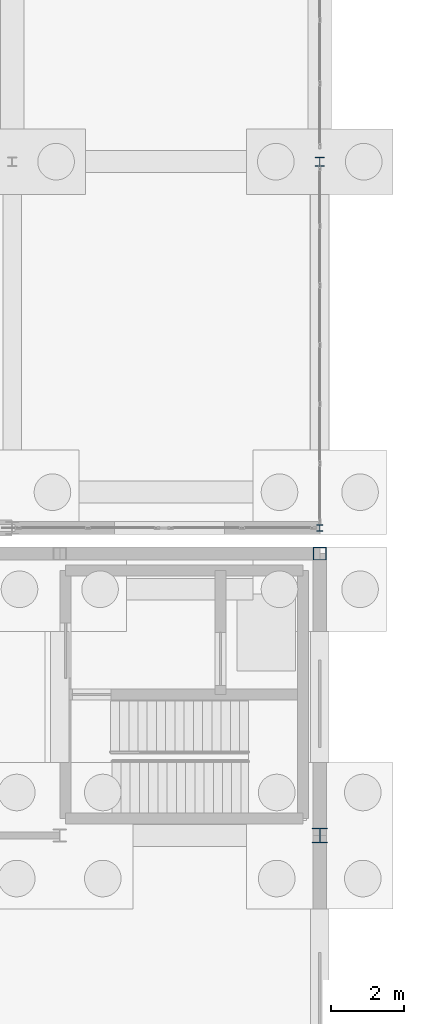
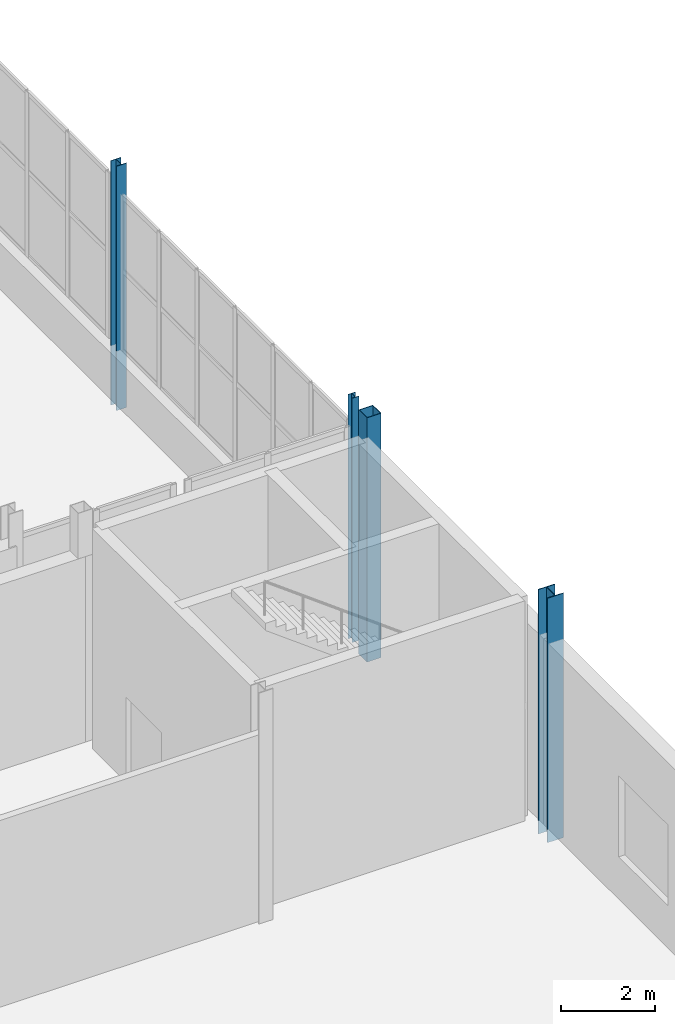
# One storey, part 46 of 139: 4 columns.
"""IFC4 building model written with IfcOpenShell, lengths in metres."""

from ifc_helpers import new_model, si_unit, direction, frame, origin, origin_2d, place, context, subcontext, project, spatial, hollow_rectangle, i_section, extrude, material, material_profile, profile_set, type_object, element, save


model = new_model("IFC4")

# Units and contexts
model_context = context("Model", 3, precision=1e-05, world=origin(), true_north=direction((0.0, 1.0)))
body_context = subcontext(model_context, "Body", "Model", "MODEL_VIEW")
ifc_project = project(units=[si_unit("LENGTHUNIT", "METRE"), si_unit("AREAUNIT", "SQUARE_METRE"), si_unit("VOLUMEUNIT", "CUBIC_METRE"), si_unit("PLANEANGLEUNIT", "RADIAN"), si_unit("MASSUNIT", "GRAM", prefix="KILO")], contexts=[model_context])

# Site, building, storey
site_placement = place(None, origin())
site = spatial("IfcSite", under=ifc_project, at=site_placement, CompositionType="ELEMENT")
building_placement = place(site_placement, origin())
building = spatial("IfcBuilding", under=site, at=building_placement, Name="Kazenagashi Tramway Depot", CompositionType="ELEMENT")
storey_placement = place(building_placement, origin())
storey = spatial("IfcBuildingStorey", under=building, at=storey_placement, Name="L01", CompositionType="ELEMENT", Elevation=0.0)

# Columns
ifc_material_1 = material(Name="Steel SN490B", Category="steel")
ifc_material_profile_1 = material_profile(ifc_material_1, i_section(OverallWidth=0.4, OverallDepth=0.4, WebThickness=0.013, FlangeThickness=0.021, at=origin_2d()), Name="H-400x400x13x21")
ifc_profile_set_1 = profile_set([ifc_material_profile_1], Name="Steel SN490B")
column_type_1 = type_object("IfcColumnType", Name="C-03", PredefinedType="COLUMN", material=ifc_profile_set_1)
column_1_placement = place(storey_placement, frame((196.0, 61.6, -0.35), z_axis=(0.0, 0.0, 1.0), x_axis=(1.0, 0.0, 0.0)))
element("IfcColumn", 1, at=column_1_placement, inside=storey, type_object=column_type_1, Name="Column C-03 COL-0523", PredefinedType="COLUMN", context=body_context, shape_type="SweptSolid", body=[
    extrude(i_section(OverallWidth=0.4, OverallDepth=0.4, WebThickness=0.013, FlangeThickness=0.021, at=origin_2d()), origin(), (0.0, 0.0, 1.0), 6.35),
])
ifc_material_profile_2 = material_profile(ifc_material_1, i_section(OverallWidth=0.25, OverallDepth=0.25, WebThickness=0.009, FlangeThickness=0.014, at=origin_2d()), Name="H-250x250x9x14")
ifc_profile_set_2 = profile_set([ifc_material_profile_2], Name="Steel SN490B")
column_type_2 = type_object("IfcColumnType", Name="C-06", PredefinedType="COLUMN", material=ifc_profile_set_2)
column_2_placement = place(storey_placement, frame((196.0, 80.0, -0.35), z_axis=(0.0, 0.0, 1.0), x_axis=(1.0, 0.0, 0.0)))
element("IfcColumn", 2, at=column_2_placement, inside=storey, type_object=column_type_2, Name="Column C-06 COL-0133", PredefinedType="COLUMN", context=body_context, shape_type="SweptSolid", body=[
    extrude(i_section(OverallWidth=0.25, OverallDepth=0.25, WebThickness=0.009, FlangeThickness=0.014, at=origin_2d()), origin(), (0.0, 0.0, 1.0), 6.35),
])
ifc_material_2 = material(Name="Steel SN400B", Category="steel")
ifc_material_profile_3 = material_profile(ifc_material_2, i_section(OverallWidth=0.175, OverallDepth=0.175, WebThickness=0.0075, FlangeThickness=0.011, at=origin_2d()), Name="H-175x175x7.5x11")
ifc_profile_set_3 = profile_set([ifc_material_profile_3], Name="Steel SN400B")
column_type_3 = type_object("IfcColumnType", Name="C-08", PredefinedType="COLUMN", material=ifc_profile_set_3)
column_3_placement = place(storey_placement, frame((196.0, 70.0, -0.35), z_axis=(0.0, 0.0, 1.0), x_axis=(1.0, 0.0, 0.0)))
element("IfcColumn", 3, at=column_3_placement, inside=storey, type_object=column_type_3, Name="Column C-08 COL-0109", PredefinedType="COLUMN", context=body_context, shape_type="SweptSolid", body=[
    extrude(i_section(OverallWidth=0.175, OverallDepth=0.175, WebThickness=0.0075, FlangeThickness=0.011, at=origin_2d()), origin(), (0.0, 0.0, 1.0), 6.35),
])
ifc_material_3 = material(Name="Steel STKR490", Category="steel")
ifc_material_profile_4 = material_profile(ifc_material_3, hollow_rectangle(XDim=0.35, YDim=0.35, WallThickness=0.012, at=origin_2d()), Name="SHS-350x350x12")
ifc_profile_set_4 = profile_set([ifc_material_profile_4], Name="Steel STKR490")
column_type_4 = type_object("IfcColumnType", Name="C-09", PredefinedType="COLUMN", material=ifc_profile_set_4)
column_4_placement = place(storey_placement, frame((196.0, 69.3, -0.35), z_axis=(0.0, 0.0, 1.0), x_axis=(1.0, 0.0, 0.0)))
element("IfcColumn", 4, at=column_4_placement, inside=storey, type_object=column_type_4, Name="Column C-09 COL-0526", PredefinedType="COLUMN", context=body_context, shape_type="SweptSolid", body=[
    extrude(hollow_rectangle(XDim=0.35, YDim=0.35, WallThickness=0.012, at=origin_2d()), origin(), (0.0, 0.0, 1.0), 6.35),
])

save(model, "model.ifc")
